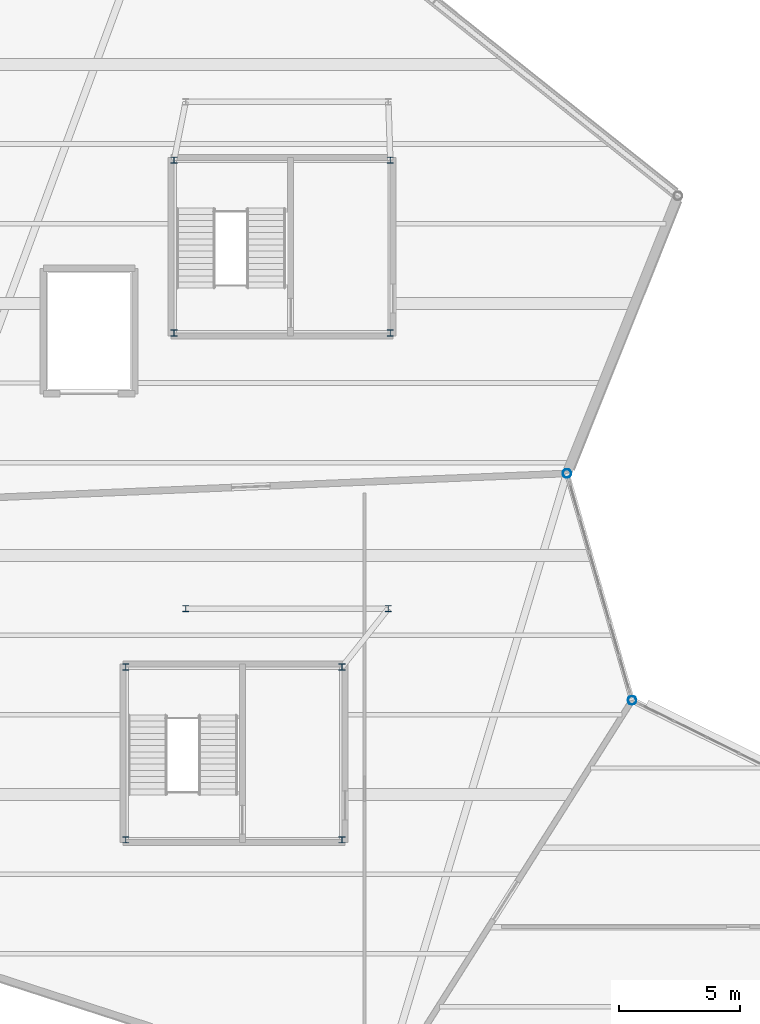
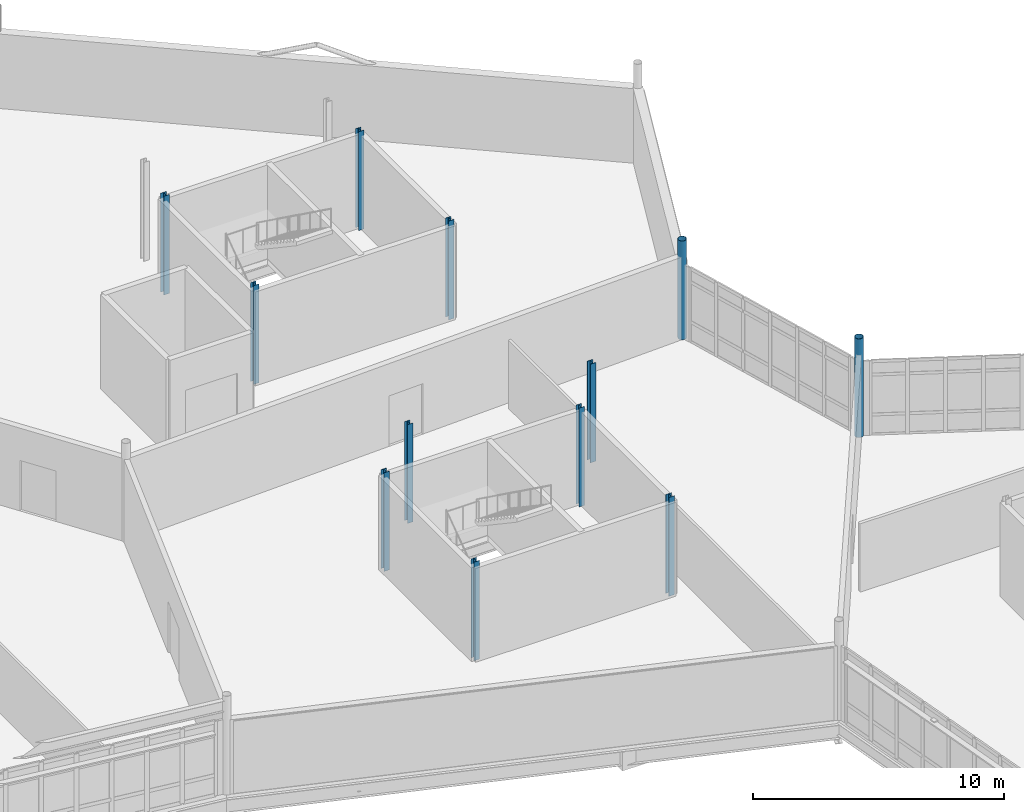
# One storey, part 11 of 114: 12 columns.
"""IFC4 building model written with IfcOpenShell, lengths in metres."""

from ifc_helpers import new_model, si_unit, direction, frame, origin, origin_2d, place, context, subcontext, project, spatial, hollow_circle, i_section, extrude, material, material_profile, profile_set, type_object, element, save


model = new_model("IFC4")

# Units and contexts
model_context = context("Model", 3, precision=1e-05, world=origin(), true_north=direction((0.0, 1.0)))
body_context = subcontext(model_context, "Body", "Model", "MODEL_VIEW")
ifc_project = project(units=[si_unit("LENGTHUNIT", "METRE"), si_unit("AREAUNIT", "SQUARE_METRE"), si_unit("VOLUMEUNIT", "CUBIC_METRE"), si_unit("PLANEANGLEUNIT", "RADIAN"), si_unit("MASSUNIT", "GRAM", prefix="KILO")], contexts=[model_context])

# Site, building, storey
site_placement = place(None, origin())
site = spatial("IfcSite", under=ifc_project, at=site_placement, CompositionType="ELEMENT")
building_placement = place(site_placement, origin())
building = spatial("IfcBuilding", under=site, at=building_placement, Name="Tameran Prism Museum", CompositionType="ELEMENT")
storey_placement = place(building_placement, frame((0.0, 0.0, 10.199951171875)))
storey = spatial("IfcBuildingStorey", under=building, at=storey_placement, Name="L02", CompositionType="ELEMENT", Elevation=10.199951171875)

# Columns
ifc_material_1 = material(Name="Steel Grade C350L0 (350 MPa)", Category="steel")
ifc_material_profile_1 = material_profile(ifc_material_1, hollow_circle(Radius=0.177734375, WallThickness=0.0126953125, at=origin_2d()))
ifc_profile_set_1 = profile_set([ifc_material_profile_1])
column_type_1 = type_object("IfcColumnType", Name="COL-CHS355", PredefinedType="COLUMN", material=ifc_profile_set_1)
for number, where, z_axis, x_axis, name in (
    (1, (57.800048828125, 82.60009765625, 0.0), (0.0, 0.0, 1.0), (1.0, 0.0, 0.0), "Column CV-29 L02"),
    (2, (60.5, 73.199951171875, 0.0), (0.0, 0.0, 1.0), (1.0, 0.0, 0.0), "Column CV-30 L02"),
):
    element("IfcColumn", number, at=place(storey_placement, frame(where, z_axis=z_axis, x_axis=x_axis)), inside=storey, type_object=column_type_1, Name=name, PredefinedType="COLUMN", context=body_context, shape_type="SweptSolid", body=[
        extrude(hollow_circle(Radius=0.177734375, WallThickness=0.0126953125, at=origin_2d()), origin(), (0.0, 0.0, 1.0), 4.800048828125),
    ])
ifc_material_2 = material(Name="Steel Grade 300PLUS (300 MPa)", Category="steel")
ifc_material_profile_2 = material_profile(ifc_material_2, i_section(OverallWidth=0.25390625, OverallDepth=0.25390625, WebThickness=0.008544921875, FlangeThickness=0.01416015625, FilletRadius=0.0126953125, at=origin_2d()))
ifc_profile_set_2 = profile_set([ifc_material_profile_2])
column_type_2 = type_object("IfcColumnType", Name="COL-UC250B", PredefinedType="COLUMN", material=ifc_profile_set_2)
for number, where, z_axis, x_axis, name in (
    (3, (42.0, 77.0, 0.0), (0.0, 0.0, 1.0), (1.0, 0.0, 0.0), "Column CI-01 L02"),
    (4, (50.39990234375, 77.0, 0.0), (0.0, 0.0, 1.0), (1.0, 0.0, 0.0), "Column CI-02 L02"),
    (5, (39.52001953125, 67.419921875, 0.0), (0.0, 0.0, 1.0), (1.0, 0.0, 0.0), "Column CC-5-1 L02"),
    (6, (48.47998046875, 67.419921875, 0.0), (0.0, 0.0, 1.0), (1.0, 0.0, 0.0), "Column CC-5-2 L02"),
    (7, (48.47998046875, 74.580078125, 0.0), (0.0, 0.0, 1.0), (1.0, 0.0, 0.0), "Column CC-5-3 L02"),
    (8, (39.52001953125, 74.580078125, 0.0), (0.0, 0.0, 1.0), (1.0, 0.0, 0.0), "Column CC-5-4 L02"),
    (9, (41.52001953125, 88.419921875, 0.0), (0.0, 0.0, 1.0), (1.0, 0.0, 0.0), "Column CC-14-1 L02"),
    (10, (50.47998046875, 88.419921875, 0.0), (0.0, 0.0, 1.0), (1.0, 0.0, 0.0), "Column CC-14-2 L02"),
    (11, (50.47998046875, 95.580078125, 0.0), (0.0, 0.0, 1.0), (1.0, 0.0, 0.0), "Column CC-14-3 L02"),
    (12, (41.52001953125, 95.580078125, 0.0), (0.0, 0.0, 1.0), (1.0, 0.0, 0.0), "Column CC-14-4 L02"),
):
    element("IfcColumn", number, at=place(storey_placement, frame(where, z_axis=z_axis, x_axis=x_axis)), inside=storey, type_object=column_type_2, Name=name, PredefinedType="COLUMN", context=body_context, shape_type="SweptSolid", body=[
        extrude(i_section(OverallWidth=0.25390625, OverallDepth=0.25390625, WebThickness=0.008544921875, FlangeThickness=0.01416015625, FilletRadius=0.0126953125, at=origin_2d()), origin(), (0.0, 0.0, 1.0), 4.800048828125),
    ])

save(model, "model.ifc")
